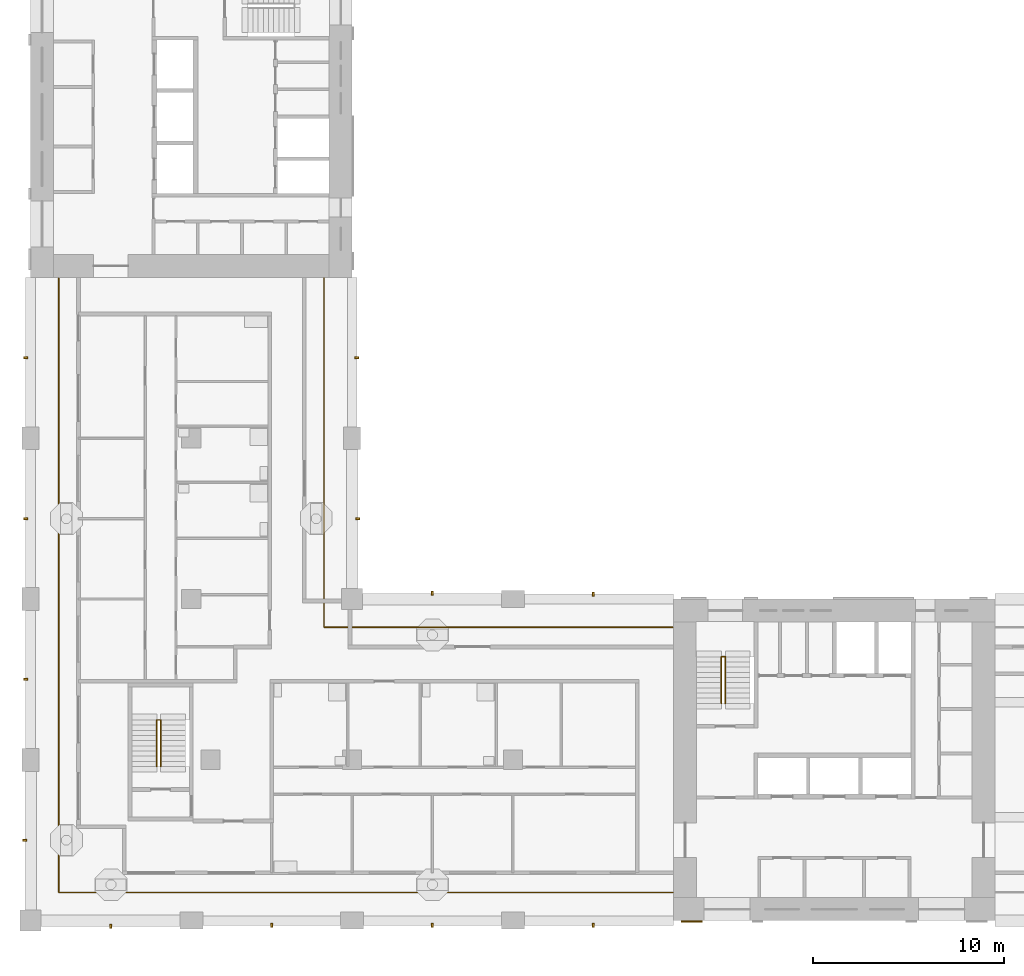
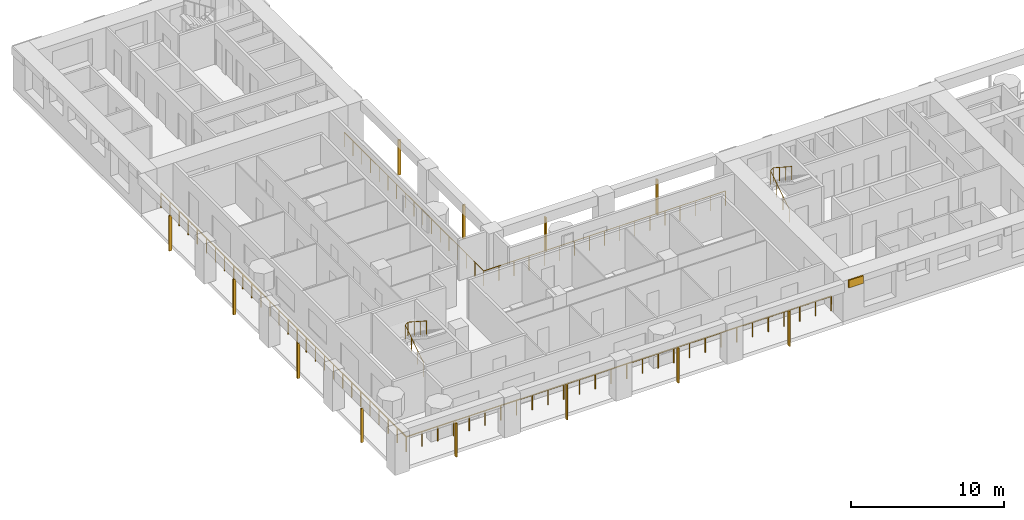
# One storey, part 8 of 13: 13 shading devices, 4 railings.
"""IFC4 building model written with IfcOpenShell, lengths in metres."""

from ifc_helpers import new_model, si_unit, direction, frame, origin, origin_2d, place, context, subcontext, project, spatial, rectangle, circle, extrude, material, layer, layer_set, material_profile, profile_set, type_object, element, save


model = new_model("IFC4")

# Units and contexts
model_context = context("Model", 3, precision=1e-05, world=origin(), true_north=direction((0.0, 1.0)))
body_context = subcontext(model_context, "Body", "Model", "MODEL_VIEW")
ifc_project = project(units=[si_unit("LENGTHUNIT", "METRE"), si_unit("AREAUNIT", "SQUARE_METRE"), si_unit("VOLUMEUNIT", "CUBIC_METRE"), si_unit("PLANEANGLEUNIT", "RADIAN"), si_unit("MASSUNIT", "GRAM", prefix="KILO")], contexts=[model_context])

# Site, building, storey
site_placement = place(None, origin())
site = spatial("IfcSite", under=ifc_project, at=site_placement, CompositionType="ELEMENT")
building_placement = place(site_placement, origin())
building = spatial("IfcBuilding", under=site, at=building_placement, Name="Vermilion Gate Residences", CompositionType="ELEMENT")
storey_placement = place(building_placement, frame((0.0, 0.0, 161.699951171875)))
storey = spatial("IfcBuildingStorey", under=building, at=storey_placement, Name="L41", CompositionType="ELEMENT", Elevation=161.699951171875)

# Railings
ifc_material_1 = material(Name="Stainless steel and toughened glass", Category="steel")
railing_type_1 = type_object("IfcRailingType", Name="LOGGIA GUARD STEEL AND GLASS 1200", PredefinedType="GUARDRAIL", material=ifc_material_1)
railing_1_placement = place(storey_placement, frame((41.97802734375, 23.72509765625, 0.0)))
element("IfcRailing", 1, at=railing_1_placement, inside=storey, type_object=railing_type_1, Name="Loggia guard", PredefinedType="GUARDRAIL", context=body_context, shape_type="SweptSolid", body=[
    extrude(circle(Radius=0.030029296875, at=origin_2d()), frame((0.0, 0.0, 1.169921875), z_axis=(-1.0, 0.0, 0.0), x_axis=(0.0, -1.0, 0.0)), (0.0, 0.0, 1.0), 18.2529296875),
    extrude(circle(Radius=0.030029296875, at=origin_2d()), frame((-18.2529296875, 0.0, 1.169921875), z_axis=(0.0, 1.0, 0.0), x_axis=(-1.0, 0.0, 0.0)), (0.0, 0.0, 1.0), 18.2529296875),
    extrude(circle(Radius=0.02490234375, at=origin_2d()), origin(), (0.0, 0.0, 1.0), 1.139892578125),
    extrude(circle(Radius=0.02490234375, at=origin_2d()), frame((-1.140869140625, 0.0, 0.0)), (0.0, 0.0, 1.0), 1.139892578125),
    extrude(circle(Radius=0.02490234375, at=origin_2d()), frame((-2.28173828125, 0.0, 0.0)), (0.0, 0.0, 1.0), 1.139892578125),
    extrude(circle(Radius=0.02490234375, at=origin_2d()), frame((-3.42236328125, 0.0, 0.0)), (0.0, 0.0, 1.0), 1.139892578125),
    extrude(circle(Radius=0.02490234375, at=origin_2d()), frame((-4.563232421875, 0.0, 0.0)), (0.0, 0.0, 1.0), 1.139892578125),
    extrude(circle(Radius=0.02490234375, at=origin_2d()), frame((-5.7041015625, 0.0, 0.0)), (0.0, 0.0, 1.0), 1.139892578125),
    extrude(circle(Radius=0.02490234375, at=origin_2d()), frame((-6.8447265625, 0.0, 0.0)), (0.0, 0.0, 1.0), 1.139892578125),
    extrude(circle(Radius=0.02490234375, at=origin_2d()), frame((-7.985595703125, 0.0, 0.0)), (0.0, 0.0, 1.0), 1.139892578125),
    extrude(circle(Radius=0.02490234375, at=origin_2d()), frame((-9.12646484375, 0.0, 0.0)), (0.0, 0.0, 1.0), 1.139892578125),
    extrude(circle(Radius=0.02490234375, at=origin_2d()), frame((-10.267333984375, 0.0, 0.0)), (0.0, 0.0, 1.0), 1.139892578125),
    extrude(circle(Radius=0.02490234375, at=origin_2d()), frame((-11.408203125, 0.0, 0.0)), (0.0, 0.0, 1.0), 1.139892578125),
    extrude(circle(Radius=0.02490234375, at=origin_2d()), frame((-12.548828125, 0.0, 0.0)), (0.0, 0.0, 1.0), 1.139892578125),
    extrude(circle(Radius=0.02490234375, at=origin_2d()), frame((-13.689697265625, 0.0, 0.0)), (0.0, 0.0, 1.0), 1.139892578125),
    extrude(circle(Radius=0.02490234375, at=origin_2d()), frame((-14.83056640625, 0.0, 0.0)), (0.0, 0.0, 1.0), 1.139892578125),
    extrude(circle(Radius=0.02490234375, at=origin_2d()), frame((-15.97119140625, 0.0, 0.0)), (0.0, 0.0, 1.0), 1.139892578125),
    extrude(circle(Radius=0.02490234375, at=origin_2d()), frame((-17.112060546875, 0.0, 0.0)), (0.0, 0.0, 1.0), 1.139892578125),
    extrude(circle(Radius=0.02490234375, at=origin_2d()), frame((-18.2529296875, 0.0, 0.0)), (0.0, 0.0, 1.0), 1.139892578125),
    extrude(circle(Radius=0.02490234375, at=origin_2d()), frame((-18.2529296875, 1.140869140625, 0.0)), (0.0, 0.0, 1.0), 1.139892578125),
    extrude(circle(Radius=0.02490234375, at=origin_2d()), frame((-18.2529296875, 2.28173828125, 0.0)), (0.0, 0.0, 1.0), 1.139892578125),
    extrude(circle(Radius=0.02490234375, at=origin_2d()), frame((-18.2529296875, 3.42236328125, 0.0)), (0.0, 0.0, 1.0), 1.139892578125),
    extrude(circle(Radius=0.02490234375, at=origin_2d()), frame((-18.2529296875, 4.563232421875, 0.0)), (0.0, 0.0, 1.0), 1.139892578125),
    extrude(circle(Radius=0.02490234375, at=origin_2d()), frame((-18.2529296875, 5.7041015625, 0.0)), (0.0, 0.0, 1.0), 1.139892578125),
    extrude(circle(Radius=0.02490234375, at=origin_2d()), frame((-18.2529296875, 6.8447265625, 0.0)), (0.0, 0.0, 1.0), 1.139892578125),
    extrude(circle(Radius=0.02490234375, at=origin_2d()), frame((-18.2529296875, 7.985595703125, 0.0)), (0.0, 0.0, 1.0), 1.139892578125),
    extrude(circle(Radius=0.02490234375, at=origin_2d()), frame((-18.2529296875, 9.12646484375, 0.0)), (0.0, 0.0, 1.0), 1.139892578125),
    extrude(circle(Radius=0.02490234375, at=origin_2d()), frame((-18.2529296875, 10.267333984375, 0.0)), (0.0, 0.0, 1.0), 1.139892578125),
    extrude(circle(Radius=0.02490234375, at=origin_2d()), frame((-18.2529296875, 11.408203125, 0.0)), (0.0, 0.0, 1.0), 1.139892578125),
    extrude(circle(Radius=0.02490234375, at=origin_2d()), frame((-18.2529296875, 12.548828125, 0.0)), (0.0, 0.0, 1.0), 1.139892578125),
    extrude(circle(Radius=0.02490234375, at=origin_2d()), frame((-18.2529296875, 13.689697265625, 0.0)), (0.0, 0.0, 1.0), 1.139892578125),
    extrude(circle(Radius=0.02490234375, at=origin_2d()), frame((-18.2529296875, 14.83056640625, 0.0)), (0.0, 0.0, 1.0), 1.139892578125),
    extrude(circle(Radius=0.02490234375, at=origin_2d()), frame((-18.2529296875, 15.97119140625, 0.0)), (0.0, 0.0, 1.0), 1.139892578125),
    extrude(circle(Radius=0.02490234375, at=origin_2d()), frame((-18.2529296875, 17.112060546875, 0.0)), (0.0, 0.0, 1.0), 1.139892578125),
    extrude(circle(Radius=0.02490234375, at=origin_2d()), frame((-18.2529296875, 18.2529296875, 0.0)), (0.0, 0.0, 1.0), 1.139892578125),
])
railing_2_placement = place(storey_placement, frame((9.875, 41.97802734375, 0.0)))
element("IfcRailing", 2, at=railing_2_placement, inside=storey, type_object=railing_type_1, Name="Loggia guard", PredefinedType="GUARDRAIL", context=body_context, shape_type="SweptSolid", body=[
    extrude(circle(Radius=0.030029296875, at=origin_2d()), frame((0.0, 0.0, 1.169921875), z_axis=(0.0, -1.0, 0.0), x_axis=(1.0, 0.0, 0.0)), (0.0, 0.0, 1.0), 32.10302734375),
    extrude(circle(Radius=0.030029296875, at=origin_2d()), frame((0.0, -32.10302734375, 1.169921875), z_axis=(1.0, 0.0, 0.0), x_axis=(0.0, 1.0, 0.0)), (0.0, 0.0, 1.0), 32.10302734375),
    extrude(circle(Radius=0.02490234375, at=origin_2d()), origin(), (0.0, 0.0, 1.0), 1.139892578125),
    extrude(circle(Radius=0.02490234375, at=origin_2d()), frame((0.0, -1.18896484375, 0.0)), (0.0, 0.0, 1.0), 1.139892578125),
    extrude(circle(Radius=0.02490234375, at=origin_2d()), frame((0.0, -2.3779296875, 0.0)), (0.0, 0.0, 1.0), 1.139892578125),
    extrude(circle(Radius=0.02490234375, at=origin_2d()), frame((0.0, -3.56689453125, 0.0)), (0.0, 0.0, 1.0), 1.139892578125),
    extrude(circle(Radius=0.02490234375, at=origin_2d()), frame((0.0, -4.756103515625, 0.0)), (0.0, 0.0, 1.0), 1.139892578125),
    extrude(circle(Radius=0.02490234375, at=origin_2d()), frame((0.0, -5.945068359375, 0.0)), (0.0, 0.0, 1.0), 1.139892578125),
    extrude(circle(Radius=0.02490234375, at=origin_2d()), frame((0.0, -7.134033203125, 0.0)), (0.0, 0.0, 1.0), 1.139892578125),
    extrude(circle(Radius=0.02490234375, at=origin_2d()), frame((0.0, -8.322998046875, 0.0)), (0.0, 0.0, 1.0), 1.139892578125),
    extrude(circle(Radius=0.02490234375, at=origin_2d()), frame((0.0, -9.511962890625, 0.0)), (0.0, 0.0, 1.0), 1.139892578125),
    extrude(circle(Radius=0.02490234375, at=origin_2d()), frame((0.0, -10.700927734375, 0.0)), (0.0, 0.0, 1.0), 1.139892578125),
    extrude(circle(Radius=0.02490234375, at=origin_2d()), frame((0.0, -11.889892578125, 0.0)), (0.0, 0.0, 1.0), 1.139892578125),
    extrude(circle(Radius=0.02490234375, at=origin_2d()), frame((0.0, -13.0791015625, 0.0)), (0.0, 0.0, 1.0), 1.139892578125),
    extrude(circle(Radius=0.02490234375, at=origin_2d()), frame((0.0, -14.26806640625, 0.0)), (0.0, 0.0, 1.0), 1.139892578125),
    extrude(circle(Radius=0.02490234375, at=origin_2d()), frame((0.0, -15.45703125, 0.0)), (0.0, 0.0, 1.0), 1.139892578125),
    extrude(circle(Radius=0.02490234375, at=origin_2d()), frame((0.0, -16.64599609375, 0.0)), (0.0, 0.0, 1.0), 1.139892578125),
    extrude(circle(Radius=0.02490234375, at=origin_2d()), frame((0.0, -17.8349609375, 0.0)), (0.0, 0.0, 1.0), 1.139892578125),
    extrude(circle(Radius=0.02490234375, at=origin_2d()), frame((0.0, -19.02392578125, 0.0)), (0.0, 0.0, 1.0), 1.139892578125),
    extrude(circle(Radius=0.02490234375, at=origin_2d()), frame((0.0, -20.213134765625, 0.0)), (0.0, 0.0, 1.0), 1.139892578125),
    extrude(circle(Radius=0.02490234375, at=origin_2d()), frame((0.0, -21.402099609375, 0.0)), (0.0, 0.0, 1.0), 1.139892578125),
    extrude(circle(Radius=0.02490234375, at=origin_2d()), frame((0.0, -22.591064453125, 0.0)), (0.0, 0.0, 1.0), 1.139892578125),
    extrude(circle(Radius=0.02490234375, at=origin_2d()), frame((0.0, -23.780029296875, 0.0)), (0.0, 0.0, 1.0), 1.139892578125),
    extrude(circle(Radius=0.02490234375, at=origin_2d()), frame((0.0, -24.968994140625, 0.0)), (0.0, 0.0, 1.0), 1.139892578125),
    extrude(circle(Radius=0.02490234375, at=origin_2d()), frame((0.0, -26.157958984375, 0.0)), (0.0, 0.0, 1.0), 1.139892578125),
    extrude(circle(Radius=0.02490234375, at=origin_2d()), frame((0.0, -27.346923828125, 0.0)), (0.0, 0.0, 1.0), 1.139892578125),
    extrude(circle(Radius=0.02490234375, at=origin_2d()), frame((0.0, -28.5361328125, 0.0)), (0.0, 0.0, 1.0), 1.139892578125),
    extrude(circle(Radius=0.02490234375, at=origin_2d()), frame((0.0, -29.72509765625, 0.0)), (0.0, 0.0, 1.0), 1.139892578125),
    extrude(circle(Radius=0.02490234375, at=origin_2d()), frame((0.0, -30.9140625, 0.0)), (0.0, 0.0, 1.0), 1.139892578125),
    extrude(circle(Radius=0.02490234375, at=origin_2d()), frame((0.0, -32.10302734375, 0.0)), (0.0, 0.0, 1.0), 1.139892578125),
    extrude(circle(Radius=0.02490234375, at=origin_2d()), frame((1.18896484375, -32.10302734375, 0.0)), (0.0, 0.0, 1.0), 1.139892578125),
    extrude(circle(Radius=0.02490234375, at=origin_2d()), frame((2.3779296875, -32.10302734375, 0.0)), (0.0, 0.0, 1.0), 1.139892578125),
    extrude(circle(Radius=0.02490234375, at=origin_2d()), frame((3.56689453125, -32.10302734375, 0.0)), (0.0, 0.0, 1.0), 1.139892578125),
    extrude(circle(Radius=0.02490234375, at=origin_2d()), frame((4.756103515625, -32.10302734375, 0.0)), (0.0, 0.0, 1.0), 1.139892578125),
    extrude(circle(Radius=0.02490234375, at=origin_2d()), frame((5.945068359375, -32.10302734375, 0.0)), (0.0, 0.0, 1.0), 1.139892578125),
    extrude(circle(Radius=0.02490234375, at=origin_2d()), frame((7.134033203125, -32.10302734375, 0.0)), (0.0, 0.0, 1.0), 1.139892578125),
    extrude(circle(Radius=0.02490234375, at=origin_2d()), frame((8.322998046875, -32.10302734375, 0.0)), (0.0, 0.0, 1.0), 1.139892578125),
    extrude(circle(Radius=0.02490234375, at=origin_2d()), frame((9.511962890625, -32.10302734375, 0.0)), (0.0, 0.0, 1.0), 1.139892578125),
    extrude(circle(Radius=0.02490234375, at=origin_2d()), frame((10.700927734375, -32.10302734375, 0.0)), (0.0, 0.0, 1.0), 1.139892578125),
    extrude(circle(Radius=0.02490234375, at=origin_2d()), frame((11.889892578125, -32.10302734375, 0.0)), (0.0, 0.0, 1.0), 1.139892578125),
    extrude(circle(Radius=0.02490234375, at=origin_2d()), frame((13.0791015625, -32.10302734375, 0.0)), (0.0, 0.0, 1.0), 1.139892578125),
    extrude(circle(Radius=0.02490234375, at=origin_2d()), frame((14.26806640625, -32.10302734375, 0.0)), (0.0, 0.0, 1.0), 1.139892578125),
    extrude(circle(Radius=0.02490234375, at=origin_2d()), frame((15.45703125, -32.10302734375, 0.0)), (0.0, 0.0, 1.0), 1.139892578125),
    extrude(circle(Radius=0.02490234375, at=origin_2d()), frame((16.64599609375, -32.10302734375, 0.0)), (0.0, 0.0, 1.0), 1.139892578125),
    extrude(circle(Radius=0.02490234375, at=origin_2d()), frame((17.8349609375, -32.10302734375, 0.0)), (0.0, 0.0, 1.0), 1.139892578125),
    extrude(circle(Radius=0.02490234375, at=origin_2d()), frame((19.02392578125, -32.10302734375, 0.0)), (0.0, 0.0, 1.0), 1.139892578125),
    extrude(circle(Radius=0.02490234375, at=origin_2d()), frame((20.213134765625, -32.10302734375, 0.0)), (0.0, 0.0, 1.0), 1.139892578125),
    extrude(circle(Radius=0.02490234375, at=origin_2d()), frame((21.402099609375, -32.10302734375, 0.0)), (0.0, 0.0, 1.0), 1.139892578125),
    extrude(circle(Radius=0.02490234375, at=origin_2d()), frame((22.591064453125, -32.10302734375, 0.0)), (0.0, 0.0, 1.0), 1.139892578125),
    extrude(circle(Radius=0.02490234375, at=origin_2d()), frame((23.780029296875, -32.10302734375, 0.0)), (0.0, 0.0, 1.0), 1.139892578125),
    extrude(circle(Radius=0.02490234375, at=origin_2d()), frame((24.968994140625, -32.10302734375, 0.0)), (0.0, 0.0, 1.0), 1.139892578125),
    extrude(circle(Radius=0.02490234375, at=origin_2d()), frame((26.157958984375, -32.10302734375, 0.0)), (0.0, 0.0, 1.0), 1.139892578125),
    extrude(circle(Radius=0.02490234375, at=origin_2d()), frame((27.346923828125, -32.10302734375, 0.0)), (0.0, 0.0, 1.0), 1.139892578125),
    extrude(circle(Radius=0.02490234375, at=origin_2d()), frame((28.5361328125, -32.10302734375, 0.0)), (0.0, 0.0, 1.0), 1.139892578125),
    extrude(circle(Radius=0.02490234375, at=origin_2d()), frame((29.72509765625, -32.10302734375, 0.0)), (0.0, 0.0, 1.0), 1.139892578125),
    extrude(circle(Radius=0.02490234375, at=origin_2d()), frame((30.9140625, -32.10302734375, 0.0)), (0.0, 0.0, 1.0), 1.139892578125),
    extrude(circle(Radius=0.02490234375, at=origin_2d()), frame((32.10302734375, -32.10302734375, 0.0)), (0.0, 0.0, 1.0), 1.139892578125),
])
ifc_material_2 = material(Name="Steel S355", Category="steel")
railing_type_2 = type_object("IfcRailingType", Name="STAIR GUARD 1100 STEEL", PredefinedType="GUARDRAIL", material=ifc_material_2)
for number, where, name in (
    (3, (44.5, 19.75, 0.175048828125), "Stair well guard STA1-41"),
    (4, (15.0, 16.449951171875, 0.175048828125), "Stair well guard STC1-41"),
):
    element("IfcRailing", number, at=place(storey_placement, frame(where)), inside=storey, type_object=railing_type_2, Name=name, PredefinedType="GUARDRAIL", context=body_context, shape_type="SweptSolid", body=[
        extrude(circle(Radius=0.02392578125, at=origin_2d()), frame((0.0, 0.0, 1.076171875), z_axis=(0.0, 0.839153699163, 0.543894354798), x_axis=(-1.0, 0.0, 0.0)), (0.0, 0.0, 1.0), 2.895751953125),
        extrude(circle(Radius=0.02392578125, at=origin_2d()), frame((0.0, 2.429931640625, 2.65087890625), z_axis=(0.752405939678, 0.0, 0.658699705433), x_axis=(0.0, 1.0, 0.0)), (0.0, 0.0, 1.0), 0.265869140625),
        extrude(circle(Radius=0.02392578125, at=origin_2d()), frame((0.199951171875, 2.429931640625, 2.826171875), z_axis=(0.0, -0.839153699163, 0.543894354798), x_axis=(1.0, 0.0, 0.0)), (0.0, 0.0, 1.0), 2.895751953125),
        extrude(circle(Radius=0.02099609375, at=origin_2d()), origin(), (0.0, 0.0, 1.0), 1.052001953125),
        extrude(circle(Radius=0.02099609375, at=origin_2d()), frame((0.0, 0.81005859375, 0.52490234375)), (0.0, 0.0, 1.0), 1.052001953125),
        extrude(circle(Radius=0.02099609375, at=origin_2d()), frame((0.0, 1.619873046875, 1.050048828125)), (0.0, 0.0, 1.0), 1.052001953125),
        extrude(circle(Radius=0.02099609375, at=origin_2d()), frame((0.0, 2.429931640625, 1.574951171875)), (0.0, 0.0, 1.0), 1.052001953125),
        extrude(circle(Radius=0.02099609375, at=origin_2d()), frame((0.199951171875, 2.429931640625, 1.75)), (0.0, 0.0, 1.0), 1.052001953125),
        extrude(circle(Radius=0.02099609375, at=origin_2d()), frame((0.199951171875, 1.619873046875, 2.27490234375)), (0.0, 0.0, 1.0), 1.052001953125),
        extrude(circle(Radius=0.02099609375, at=origin_2d()), frame((0.199951171875, 0.81005859375, 2.800048828125)), (0.0, 0.0, 1.0), 1.052001953125),
        extrude(circle(Radius=0.02099609375, at=origin_2d()), frame((0.199951171875, 0.0, 3.324951171875)), (0.0, 0.0, 1.0), 1.052001953125),
    ])

# Shading devices
ifc_material_3 = material(Name="Extruded terracotta", Category="masonry")
ifc_material_profile = material_profile(ifc_material_3, rectangle(XDim=0.199951171875, YDim=0.10009765625, at=origin_2d()), Name="BAGUETTE 100 X 200")
ifc_profile_set = profile_set([ifc_material_profile], Name="Extruded terracotta")
shading_device_type_1 = type_object("IfcShadingDeviceType", Name="TERRACOTTA BAGUETTE 100 X 200", PredefinedType="JALOUSIE", material=ifc_profile_set)
shading_device_1_placement = place(storey_placement, frame((12.60009765625, 8.10009765625, -0.280029296875), z_axis=(0.0, 0.0, 1.0), x_axis=(0.0, 1.0, 0.0)))
element("IfcShadingDevice", 5, at=shading_device_1_placement, inside=storey, type_object=shading_device_type_1, Name="BAGUETTE", PredefinedType="JALOUSIE", context=body_context, shape_type="SweptSolid", body=[
    extrude(rectangle(XDim=0.199951171875, YDim=0.10009765625, at=origin_2d()), origin(), (0.0, 0.0, 1.0), 2.7001953125),
])
for number, where, z_axis, x_axis, name in (
    (6, (21.0, 8.14990234375, -0.280029296875), (0.0, 0.0, 1.0), (0.0, 1.0, 0.0), "BAGUETTE"),
    (7, (29.39990234375, 8.14990234375, -0.280029296875), (0.0, 0.0, 1.0), (0.0, 1.0, 0.0), "BAGUETTE"),
    (8, (37.800048828125, 8.14990234375, -0.280029296875), (0.0, 0.0, 1.0), (0.0, 1.0, 0.0), "BAGUETTE"),
):
    element("IfcShadingDevice", number, at=place(storey_placement, frame(where, z_axis=z_axis, x_axis=x_axis)), inside=storey, type_object=shading_device_type_1, Name=name, PredefinedType="JALOUSIE", context=body_context, shape_type="SweptSolid", body=[
        extrude(rectangle(XDim=0.199951171875, YDim=0.10009765625, at=origin_2d()), origin(), (0.0, 0.0, 1.0), 2.800048828125),
    ])
shading_device_2_placement = place(storey_placement, frame((29.39990234375, 25.5, -0.280029296875), z_axis=(0.0, 0.0, 1.0), x_axis=(0.0, -1.0, 0.0)))
element("IfcShadingDevice", 9, at=shading_device_2_placement, inside=storey, type_object=shading_device_type_1, Name="BAGUETTE", PredefinedType="JALOUSIE", context=body_context, shape_type="SweptSolid", body=[
    extrude(rectangle(XDim=0.199951171875, YDim=0.10009765625, at=origin_2d()), origin(), (0.0, 0.0, 1.0), 2.7001953125),
])
shading_device_3_placement = place(storey_placement, frame((37.800048828125, 25.449951171875, -0.280029296875), z_axis=(0.0, 0.0, 1.0), x_axis=(0.0, -1.0, 0.0)))
element("IfcShadingDevice", 10, at=shading_device_3_placement, inside=storey, type_object=shading_device_type_1, Name="BAGUETTE", PredefinedType="JALOUSIE", context=body_context, shape_type="SweptSolid", body=[
    extrude(rectangle(XDim=0.199951171875, YDim=0.10009765625, at=origin_2d()), origin(), (0.0, 0.0, 1.0), 2.800048828125),
])
shading_device_4_placement = place(storey_placement, frame((25.5, 29.39990234375, -0.280029296875), z_axis=(0.0, 0.0, 1.0), x_axis=(-1.0, 0.0, 0.0)))
element("IfcShadingDevice", 11, at=shading_device_4_placement, inside=storey, type_object=shading_device_type_1, Name="BAGUETTE", PredefinedType="JALOUSIE", context=body_context, shape_type="SweptSolid", body=[
    extrude(rectangle(XDim=0.199951171875, YDim=0.10009765625, at=origin_2d()), origin(), (0.0, 0.0, 1.0), 2.7001953125),
])
shading_device_5_placement = place(storey_placement, frame((25.449951171875, 37.800048828125, -0.280029296875), z_axis=(0.0, 0.0, 1.0), x_axis=(-1.0, 0.0, 0.0)))
element("IfcShadingDevice", 12, at=shading_device_5_placement, inside=storey, type_object=shading_device_type_1, Name="BAGUETTE", PredefinedType="JALOUSIE", context=body_context, shape_type="SweptSolid", body=[
    extrude(rectangle(XDim=0.199951171875, YDim=0.10009765625, at=origin_2d()), origin(), (0.0, 0.0, 1.0), 2.800048828125),
])
shading_device_6_placement = place(storey_placement, frame((8.10009765625, 12.60009765625, -0.280029296875), z_axis=(0.0, 0.0, 1.0), x_axis=(1.0, 0.0, 0.0)))
element("IfcShadingDevice", 13, at=shading_device_6_placement, inside=storey, type_object=shading_device_type_1, Name="BAGUETTE", PredefinedType="JALOUSIE", context=body_context, shape_type="SweptSolid", body=[
    extrude(rectangle(XDim=0.199951171875, YDim=0.10009765625, at=origin_2d()), origin(), (0.0, 0.0, 1.0), 2.7001953125),
])
for number, where, z_axis, x_axis, name in (
    (14, (8.14990234375, 21.0, -0.280029296875), (0.0, 0.0, 1.0), (1.0, 0.0, 0.0), "BAGUETTE"),
    (15, (8.14990234375, 29.39990234375, -0.280029296875), (0.0, 0.0, 1.0), (1.0, 0.0, 0.0), "BAGUETTE"),
    (16, (8.14990234375, 37.800048828125, -0.280029296875), (0.0, 0.0, 1.0), (1.0, 0.0, 0.0), "BAGUETTE"),
):
    element("IfcShadingDevice", number, at=place(storey_placement, frame(where, z_axis=z_axis, x_axis=x_axis)), inside=storey, type_object=shading_device_type_1, Name=name, PredefinedType="JALOUSIE", context=body_context, shape_type="SweptSolid", body=[
        extrude(rectangle(XDim=0.199951171875, YDim=0.10009765625, at=origin_2d()), origin(), (0.0, 0.0, 1.0), 2.800048828125),
    ])
ifc_material_4 = material(Name="Extruded terracotta", Category="masonry")
ifc_layer = layer(ifc_material_4, 0.10009765625)
ifc_layer_set = layer_set([ifc_layer], Name="TERRACOTTA SPANDREL BAND 600 X 100")
shading_device_type_2 = type_object("IfcShadingDeviceType", Name="TERRACOTTA SPANDREL BAND 600 X 100", PredefinedType="USERDEFINED", material=ifc_layer_set)
shading_device_7_placement = place(storey_placement, frame((42.949951171875, 8.35009765625, 2.6201171875), z_axis=(0.0, 0.0, 1.0), x_axis=(1.0, 0.0, 0.0)))
element("IfcShadingDevice", 17, at=shading_device_7_placement, inside=storey, type_object=shading_device_type_2, Name="SPANDREL BAND", ObjectType="BAND", PredefinedType="USERDEFINED", context=body_context, shape_type="SweptSolid", body=[
    extrude(rectangle(XDim=1.10009765625, YDim=0.10009765625, at=origin_2d()), origin(), (0.0, 0.0, 1.0), 0.60009765625),
])

save(model, "model.ifc")
